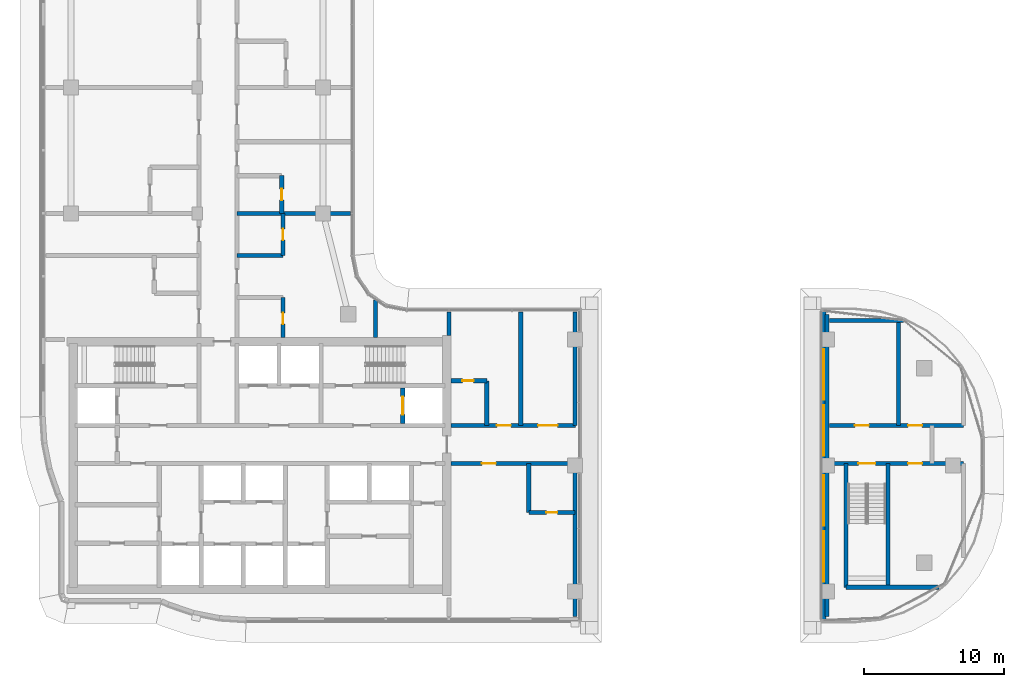
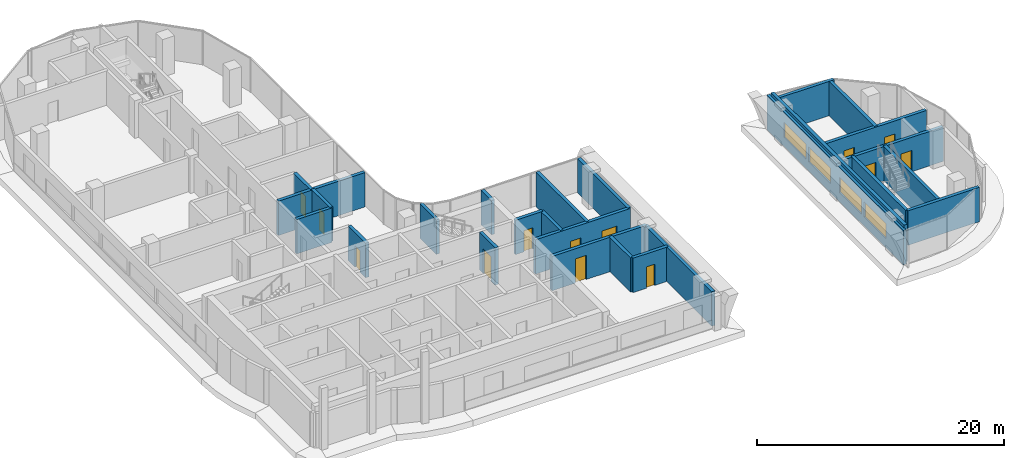
# One storey, part 12 of 26: 26 walls, 13 doors, 4 windows, 17 openings.
"""IFC4 building model written with IfcOpenShell, lengths in metres."""

from ifc_helpers import new_model, si_unit, direction, frame, frame_2d, origin, place, context, subcontext, project, spatial, rectangle, extrude, material, layer, layer_set, type_object, element, fill, save


model = new_model("IFC4")

# Units and contexts
model_context = context("Model", 3, precision=1e-05, world=origin(), true_north=direction((0.0, 1.0)))
body_context = subcontext(model_context, "Body", "Model", "MODEL_VIEW")
ifc_project = project(units=[si_unit("LENGTHUNIT", "METRE"), si_unit("AREAUNIT", "SQUARE_METRE"), si_unit("VOLUMEUNIT", "CUBIC_METRE"), si_unit("PLANEANGLEUNIT", "RADIAN"), si_unit("MASSUNIT", "GRAM", prefix="KILO")], contexts=[model_context])

# Site, building, storey
site_placement = place(None, origin())
site = spatial("IfcSite", under=ifc_project, at=site_placement, CompositionType="ELEMENT")
building_placement = place(site_placement, origin())
building = spatial("IfcBuilding", under=site, at=building_placement, Name="Ogive Portal Towers", CompositionType="ELEMENT")
storey_placement = place(building_placement, frame((0.0, 0.0, 171.800048828125)))
storey = spatial("IfcBuildingStorey", under=building, at=storey_placement, Name="L42", CompositionType="ELEMENT", Elevation=171.800048828125)

# Wall, opening, door
ifc_material_1 = material(Name="Concrete C60/75", Category="concrete")
ifc_layer_1 = layer(ifc_material_1, 0.300048828125)
ifc_layer_set_1 = layer_set([ifc_layer_1], Name="CORE WALL 300 C60")
wall_type_1 = type_object("IfcWallType", Name="CORE WALL 300 C60", PredefinedType="SHEAR", material=ifc_layer_set_1)
wall_1_placement = place(storey_placement, frame((55.199951171875, 33.5, 0.0), z_axis=(0.0, 0.0, 1.0), x_axis=(0.0, 1.0, 0.0)))
wall_1 = element("IfcWall", 1, at=wall_1_placement, inside=storey, type_object=wall_type_1, Name="Core wall X10 L42", PredefinedType="SHEAR", context=body_context, shape_type="SweptSolid", body=[
    extrude(rectangle(XDim=2.550048828125, YDim=0.300048828125, at=frame_2d((1.27490234375, 0.0))), origin(), (0.0, 0.0, 1.0), 3.699951171875),
])
opening_1_placement = place(wall_1_placement, frame((0.625, 0.0, 0.0)))
opening_1 = element("IfcOpeningElement", 2, at=opening_1_placement, cuts=wall_1, Name="Opening D17-020", PredefinedType="OPENING", context=body_context, shape_type="SweptSolid", body=[
    extrude(rectangle(XDim=1.300048828125, YDim=2.39990234375, at=frame_2d((0.64990234375, 1.199951171875))), frame((0.0, 0.16015625, 0.0), z_axis=(0.0, -1.0, 0.0), x_axis=(1.0, 0.0, 0.0)), (0.0, 0.0, 1.0), 0.320068359375),
])
ifc_material_2 = material(Name="Stainless steel", Category="steel")
door_type_1 = type_object("IfcDoorType", Name="DT-LD-1300x2400", OperationType="SLIDING_TO_LEFT", PredefinedType="DOOR", material=ifc_material_2)
door_1_placement = place(opening_1_placement, origin())
door_1 = element("IfcDoor", 3, at=door_1_placement, inside=storey, type_object=door_type_1, Name="Door D17-020", OperationType="SLIDING_TO_LEFT", OverallHeight=2.39990234375, OverallWidth=1.300048828125, PredefinedType="DOOR", context=body_context, shape_type="SweptSolid", body=[
    extrude(rectangle(XDim=1.300048828125, YDim=2.39990234375, at=frame_2d((0.64990234375, 1.199951171875))), frame((0.0, 0.02490234375, 0.0), z_axis=(0.0, -1.0, 0.0), x_axis=(1.0, 0.0, 0.0)), (0.0, 0.0, 1.0), 0.050048828125),
])
fill(opening_1, door_1)

# Wall, openings, windows
ifc_material_3 = material(Name="Limestone cladding on lightweight block wall", Category="masonry")
ifc_layer_2 = layer(ifc_material_3, 0.300048828125)
ifc_layer_set_2 = layer_set([ifc_layer_2], Name="EXTERNAL WALL 300 STONE")
wall_type_2 = type_object("IfcWallType", Name="EXTERNAL WALL 300 STONE", PredefinedType="SOLIDWALL", material=ifc_layer_set_2)
wall_2_placement = place(storey_placement, frame((85.27001953125, 41.554931640625, 0.0), z_axis=(0.0, 0.0, 1.0), x_axis=(0.0, -1.0, 0.0)))
wall_2 = element("IfcWall", 4, at=wall_2_placement, inside=storey, type_object=wall_type_2, Name="A:L42:f27:r0:wall", PredefinedType="SOLIDWALL", context=body_context, shape_type="SweptSolid", body=[
    extrude(rectangle(XDim=22.116455078125, YDim=0.300048828125, at=frame_2d((11.05810546875, 0.0))), origin(), (0.0, 0.0, 1.0), 3.39990234375),
])
opening_2_placement = place(wall_2_placement, frame((2.7548828125, 0.0, 0.89990234375)))
opening_2 = element("IfcOpeningElement", 5, at=opening_2_placement, cuts=wall_2, Name="Opening WN12", PredefinedType="OPENING", context=body_context, shape_type="SweptSolid", body=[
    extrude(rectangle(XDim=3.60009765625, YDim=1.5, at=frame_2d((1.800048828125, 0.75))), frame((0.0, 0.16015625, 0.0), z_axis=(0.0, -1.0, 0.0), x_axis=(1.0, 0.0, 0.0)), (0.0, 0.0, 1.0), 0.320068359375),
])
opening_3_placement = place(wall_2_placement, frame((6.7548828125, 0.0, 0.89990234375)))
opening_3 = element("IfcOpeningElement", 6, at=opening_3_placement, cuts=wall_2, Name="Opening WN12", PredefinedType="OPENING", context=body_context, shape_type="SweptSolid", body=[
    extrude(rectangle(XDim=3.60009765625, YDim=1.5, at=frame_2d((1.800048828125, 0.75))), frame((0.0, 0.16015625, 0.0), z_axis=(0.0, -1.0, 0.0), x_axis=(1.0, 0.0, 0.0)), (0.0, 0.0, 1.0), 0.320068359375),
])
opening_4_placement = place(wall_2_placement, frame((11.7548828125, 0.0, 0.89990234375)))
opening_4 = element("IfcOpeningElement", 7, at=opening_4_placement, cuts=wall_2, Name="Opening WN12", PredefinedType="OPENING", context=body_context, shape_type="SweptSolid", body=[
    extrude(rectangle(XDim=3.60009765625, YDim=1.5, at=frame_2d((1.800048828125, 0.75))), frame((0.0, 0.16015625, 0.0), z_axis=(0.0, -1.0, 0.0), x_axis=(1.0, 0.0, 0.0)), (0.0, 0.0, 1.0), 0.320068359375),
])
opening_5_placement = place(wall_2_placement, frame((15.7548828125, 0.0, 0.89990234375)))
opening_5 = element("IfcOpeningElement", 8, at=opening_5_placement, cuts=wall_2, Name="Opening WN12", PredefinedType="OPENING", context=body_context, shape_type="SweptSolid", body=[
    extrude(rectangle(XDim=3.60009765625, YDim=1.5, at=frame_2d((1.800048828125, 0.75))), frame((0.0, 0.16015625, 0.0), z_axis=(0.0, -1.0, 0.0), x_axis=(1.0, 0.0, 0.0)), (0.0, 0.0, 1.0), 0.320068359375),
])
ifc_material_4 = material(Name="Glass, clear low-iron insulated glazing", Category="glass")
window_type = type_object("IfcWindowType", Name="WINDOW RIBBON 3600x1500", PartitioningType="TRIPLE_PANEL_VERTICAL", PredefinedType="WINDOW", material=ifc_material_4)
window_1_placement = place(opening_2_placement, origin())
window_1 = element("IfcWindow", 9, at=window_1_placement, inside=storey, type_object=window_type, Name="A:L42:f27:r0:w1", OverallHeight=1.5, OverallWidth=3.60009765625, PartitioningType="SINGLE_PANEL", PredefinedType="WINDOW", context=body_context, shape_type="SweptSolid", body=[
    extrude(rectangle(XDim=3.60009765625, YDim=1.5, at=frame_2d((1.800048828125, 0.75))), frame((0.0, 0.030029296875, 0.0), z_axis=(0.0, -1.0, 0.0), x_axis=(1.0, 0.0, 0.0)), (0.0, 0.0, 1.0), 0.06005859375),
])
fill(opening_2, window_1)
window_2_placement = place(opening_3_placement, origin())
window_2 = element("IfcWindow", 10, at=window_2_placement, inside=storey, type_object=window_type, Name="A:L42:f27:r0:w2", OverallHeight=1.5, OverallWidth=3.60009765625, PartitioningType="SINGLE_PANEL", PredefinedType="WINDOW", context=body_context, shape_type="SweptSolid", body=[
    extrude(rectangle(XDim=3.60009765625, YDim=1.5, at=frame_2d((1.800048828125, 0.75))), frame((0.0, 0.030029296875, 0.0), z_axis=(0.0, -1.0, 0.0), x_axis=(1.0, 0.0, 0.0)), (0.0, 0.0, 1.0), 0.06005859375),
])
fill(opening_3, window_2)
window_3_placement = place(opening_4_placement, origin())
window_3 = element("IfcWindow", 11, at=window_3_placement, inside=storey, type_object=window_type, Name="A:L42:f27:r0:w3", OverallHeight=1.5, OverallWidth=3.60009765625, PartitioningType="SINGLE_PANEL", PredefinedType="WINDOW", context=body_context, shape_type="SweptSolid", body=[
    extrude(rectangle(XDim=3.60009765625, YDim=1.5, at=frame_2d((1.800048828125, 0.75))), frame((0.0, 0.030029296875, 0.0), z_axis=(0.0, -1.0, 0.0), x_axis=(1.0, 0.0, 0.0)), (0.0, 0.0, 1.0), 0.06005859375),
])
fill(opening_4, window_3)
window_4_placement = place(opening_5_placement, origin())
window_4 = element("IfcWindow", 12, at=window_4_placement, inside=storey, type_object=window_type, Name="A:L42:f27:r0:w4", OverallHeight=1.5, OverallWidth=3.60009765625, PartitioningType="SINGLE_PANEL", PredefinedType="WINDOW", context=body_context, shape_type="SweptSolid", body=[
    extrude(rectangle(XDim=3.60009765625, YDim=1.5, at=frame_2d((1.800048828125, 0.75))), frame((0.0, 0.030029296875, 0.0), z_axis=(0.0, -1.0, 0.0), x_axis=(1.0, 0.0, 0.0)), (0.0, 0.0, 1.0), 0.06005859375),
])
fill(opening_5, window_4)

# Walls
ifc_layer_3 = layer(ifc_material_1, 0.300048828125)
ifc_layer_set_3 = layer_set([ifc_layer_3], Name="REVEAL WALL 300 C60")
wall_type_3 = type_object("IfcWallType", Name="REVEAL WALL 300 C60", PredefinedType="SHEAR", material=ifc_layer_set_3)
wall_3_placement = place(storey_placement, frame((85.5, 19.705078125, 0.0), z_axis=(0.0, 0.0, 1.0), x_axis=(0.0, 1.0, 0.0)))
element("IfcWall", 13, at=wall_3_placement, inside=storey, type_object=wall_type_3, Name="Portal reveal wall L42", PredefinedType="SHEAR", context=body_context, shape_type="SweptSolid", body=[
    extrude(rectangle(XDim=21.58984375, YDim=0.300048828125, at=frame_2d((10.794921875, 0.0))), origin(), (0.0, 0.0, 1.0), 3.699951171875),
])
ifc_material_5 = material(Name="Concrete C50/60", Category="concrete")
ifc_layer_4 = layer(ifc_material_5, 0.300048828125)
ifc_layer_set_4 = layer_set([ifc_layer_4], Name="STAIR WALL 300 C50")
wall_type_4 = type_object("IfcWallType", Name="STAIR WALL 300 C50", PredefinedType="SHEAR", material=ifc_layer_set_4)
wall_4_placement = place(storey_placement, frame((86.85009765625, 21.800048828125, 0.0), z_axis=(0.0, 0.0, 1.0), x_axis=(1.0, 0.0, 0.0)))
element("IfcWall", 14, at=wall_4_placement, inside=storey, type_object=wall_type_4, Name="Stair wall ST-A4 L42", PredefinedType="SHEAR", context=body_context, shape_type="SweptSolid", body=[
    extrude(rectangle(XDim=6.663818359375, YDim=0.300048828125, at=frame_2d((3.33203125, 0.0))), origin(), (0.0, 0.0, 1.0), 3.39990234375),
])

# Wall, openings, doors
wall_5_placement = place(storey_placement, frame((85.669921875, 30.64990234375, 0.0), z_axis=(0.0, 0.0, 1.0), x_axis=(1.0, 0.0, 0.0)))
wall_5 = element("IfcWall", 15, at=wall_5_placement, inside=storey, type_object=wall_type_4, Name="Stair wall ST-A4 L42", PredefinedType="SHEAR", context=body_context, shape_type="SweptSolid", body=[
    extrude(rectangle(XDim=9.580078125, YDim=0.300048828125, at=frame_2d((4.7900390625, 0.0))), origin(), (0.0, 0.0, 1.0), 3.39990234375),
])
opening_6_placement = place(wall_5_placement, frame((2.080078125, 0.0, 0.0)))
opening_6 = element("IfcOpeningElement", 16, at=opening_6_placement, cuts=wall_5, Name="Opening D17-048", PredefinedType="OPENING", context=body_context, shape_type="SweptSolid", body=[
    extrude(rectangle(XDim=1.199951171875, YDim=2.10009765625, at=frame_2d((0.60009765625, 1.050048828125))), frame((0.0, 0.16015625, 0.0), z_axis=(0.0, -1.0, 0.0), x_axis=(1.0, 0.0, 0.0)), (0.0, 0.0, 1.0), 0.320068359375),
])
opening_7_placement = place(wall_5_placement, frame((5.6298828125, 0.0, 0.0)))
opening_7 = element("IfcOpeningElement", 17, at=opening_7_placement, cuts=wall_5, Name="Opening D17-051", PredefinedType="OPENING", context=body_context, shape_type="SweptSolid", body=[
    extrude(rectangle(XDim=1.0, YDim=2.10009765625, at=frame_2d((0.5, 1.050048828125))), frame((0.0, 0.16015625, 0.0), z_axis=(0.0, -1.0, 0.0), x_axis=(1.0, 0.0, 0.0)), (0.0, 0.0, 1.0), 0.320068359375),
])
ifc_material_6 = material(Name="Steel fire door", Category="steel")
door_type_2 = type_object("IfcDoorType", Name="DT-SERVICE-1000x2100-FD90S", OperationType="SINGLE_SWING_LEFT", PredefinedType="DOOR", material=ifc_material_6)
door_2_placement = place(opening_7_placement, origin())
door_2 = element("IfcDoor", 18, at=door_2_placement, inside=storey, type_object=door_type_2, Name="Door D17-051", OperationType="SINGLE_SWING_LEFT", OverallHeight=2.10009765625, OverallWidth=1.0, PredefinedType="DOOR", context=body_context, shape_type="SweptSolid", body=[
    extrude(rectangle(XDim=1.0, YDim=2.10009765625, at=frame_2d((0.5, 1.050048828125))), frame((0.0, 0.02490234375, 0.0), z_axis=(0.0, -1.0, 0.0), x_axis=(1.0, 0.0, 0.0)), (0.0, 0.0, 1.0), 0.050048828125),
])
fill(opening_7, door_2)
door_type_3 = type_object("IfcDoorType", Name="DT-STAIR-1200x2100-FD90S", OperationType="SINGLE_SWING_LEFT", PredefinedType="DOOR", material=ifc_material_6)
door_3_placement = place(opening_6_placement, origin())
door_3 = element("IfcDoor", 19, at=door_3_placement, inside=storey, type_object=door_type_3, Name="Door D17-048", OperationType="SINGLE_SWING_LEFT", OverallHeight=2.10009765625, OverallWidth=1.199951171875, PredefinedType="DOOR", context=body_context, shape_type="SweptSolid", body=[
    extrude(rectangle(XDim=1.199951171875, YDim=2.10009765625, at=frame_2d((0.60009765625, 1.050048828125))), frame((0.0, 0.02490234375, 0.0), z_axis=(0.0, -1.0, 0.0), x_axis=(1.0, 0.0, 0.0)), (0.0, 0.0, 1.0), 0.050048828125),
])
fill(opening_6, door_3)

# Walls
for number, where, z_axis, x_axis, name in (
    (20, (86.85009765625, 21.800048828125, 0.0), (0.0, 0.0, 1.0), (0.0, 1.0, 0.0), "Stair wall ST-A4 L42"),
    (21, (89.85009765625, 21.800048828125, 0.0), (0.0, 0.0, 1.0), (0.0, 1.0, 0.0), "Stair wall ST-A4 L42"),
):
    element("IfcWall", number, at=place(storey_placement, frame(where, z_axis=z_axis, x_axis=x_axis)), inside=storey, type_object=wall_type_4, Name=name, PredefinedType="SHEAR", context=body_context, shape_type="SweptSolid", body=[
        extrude(rectangle(XDim=8.849853515625, YDim=0.300048828125, at=frame_2d((4.4248046875, 0.0))), origin(), (0.0, 0.0, 1.0), 3.39990234375),
    ])

# Wall, opening, door
ifc_material_7 = material(Name="Gypsum board partition on steel studs", Category="steel")
ifc_layer_5 = layer(ifc_material_7, 0.300048828125)
ifc_layer_set_5 = layer_set([ifc_layer_5], Name="WT-PART-300-EI 120")
wall_type_5 = type_object("IfcWallType", Name="WT-PART-300-EI 120", PredefinedType="PARTITIONING", material=ifc_layer_set_5)
wall_6_placement = place(storey_placement, frame((58.64990234375, 30.64990234375, 0.0), z_axis=(0.0, 0.0, 1.0), x_axis=(1.0, 0.0, 0.0)))
wall_6 = element("IfcWall", 22, at=wall_6_placement, inside=storey, type_object=wall_type_5, Name="Wall L42:w003", PredefinedType="PARTITIONING", context=body_context, shape_type="SweptSolid", body=[
    extrude(rectangle(XDim=8.880126953125, YDim=0.300048828125, at=frame_2d((4.43994140625, 0.0))), origin(), (0.0, 0.0, 1.0), 3.39990234375),
])
opening_8_placement = place(wall_6_placement, frame((2.199951171875, 0.0, 0.0)))
opening_8 = element("IfcOpeningElement", 23, at=opening_8_placement, cuts=wall_6, Name="Opening D17-031", PredefinedType="OPENING", context=body_context, shape_type="SweptSolid", body=[
    extrude(rectangle(XDim=1.0, YDim=2.39990234375, at=frame_2d((0.5, 1.199951171875))), frame((0.0, 0.16015625, 0.0), z_axis=(0.0, -1.0, 0.0), x_axis=(1.0, 0.0, 0.0)), (0.0, 0.0, 1.0), 0.320068359375),
])
door_type_4 = type_object("IfcDoorType", Name="DT-ENTRY-1000x2400-FD90S", OperationType="SINGLE_SWING_LEFT", PredefinedType="DOOR", material=ifc_material_6)
door_4_placement = place(opening_8_placement, origin())
door_4 = element("IfcDoor", 24, at=door_4_placement, inside=storey, type_object=door_type_4, Name="Door D17-031", OperationType="SINGLE_SWING_LEFT", OverallHeight=2.39990234375, OverallWidth=1.0, PredefinedType="DOOR", context=body_context, shape_type="SweptSolid", body=[
    extrude(rectangle(XDim=1.0, YDim=2.39990234375, at=frame_2d((0.5, 1.199951171875))), frame((0.0, 0.02490234375, 0.0), z_axis=(0.0, -1.0, 0.0), x_axis=(1.0, 0.0, 0.0)), (0.0, 0.0, 1.0), 0.050048828125),
])
fill(opening_8, door_4)

# Wall, openings, doors
wall_7_placement = place(storey_placement, frame((58.64990234375, 33.35009765625, 0.0), z_axis=(0.0, 0.0, 1.0), x_axis=(1.0, 0.0, 0.0)))
wall_7 = element("IfcWall", 25, at=wall_7_placement, inside=storey, type_object=wall_type_5, Name="Wall L42:w005", PredefinedType="PARTITIONING", context=body_context, shape_type="SweptSolid", body=[
    extrude(rectangle(XDim=8.880126953125, YDim=0.300048828125, at=frame_2d((4.43994140625, 0.0))), origin(), (0.0, 0.0, 1.0), 3.39990234375),
])
opening_9_placement = place(wall_7_placement, frame((3.264892578125, 0.0, 0.0)))
opening_9 = element("IfcOpeningElement", 26, at=opening_9_placement, cuts=wall_7, Name="Opening D17-028", PredefinedType="OPENING", context=body_context, shape_type="SweptSolid", body=[
    extrude(rectangle(XDim=1.0, YDim=2.10009765625, at=frame_2d((0.5, 1.050048828125))), frame((0.0, 0.16015625, 0.0), z_axis=(0.0, -1.0, 0.0), x_axis=(1.0, 0.0, 0.0)), (0.0, 0.0, 1.0), 0.320068359375),
])
opening_10_placement = place(wall_7_placement, frame((6.215087890625, 0.0, 0.0)))
opening_10 = element("IfcOpeningElement", 27, at=opening_10_placement, cuts=wall_7, Name="Opening D17-029", PredefinedType="OPENING", context=body_context, shape_type="SweptSolid", body=[
    extrude(rectangle(XDim=1.39990234375, YDim=2.10009765625, at=frame_2d((0.699951171875, 1.050048828125))), frame((0.0, 0.16015625, 0.0), z_axis=(0.0, -1.0, 0.0), x_axis=(1.0, 0.0, 0.0)), (0.0, 0.0, 1.0), 0.320068359375),
])
door_type_5 = type_object("IfcDoorType", Name="DT-ENTRY-1000x2100-FD90S", OperationType="SINGLE_SWING_LEFT", PredefinedType="DOOR", material=ifc_material_6)
door_5_placement = place(opening_9_placement, origin())
door_5 = element("IfcDoor", 28, at=door_5_placement, inside=storey, type_object=door_type_5, Name="Door D17-028", OperationType="SINGLE_SWING_LEFT", OverallHeight=2.10009765625, OverallWidth=1.0, PredefinedType="DOOR", context=body_context, shape_type="SweptSolid", body=[
    extrude(rectangle(XDim=1.0, YDim=2.10009765625, at=frame_2d((0.5, 1.050048828125))), frame((0.0, 0.02490234375, 0.0), z_axis=(0.0, -1.0, 0.0), x_axis=(1.0, 0.0, 0.0)), (0.0, 0.0, 1.0), 0.050048828125),
])
fill(opening_9, door_5)
door_type_6 = type_object("IfcDoorType", Name="DT-ENTRY-1400x2100-FD90S", OperationType="SINGLE_SWING_LEFT", PredefinedType="DOOR", material=ifc_material_6)
door_6_placement = place(opening_10_placement, origin())
door_6 = element("IfcDoor", 29, at=door_6_placement, inside=storey, type_object=door_type_6, Name="Door D17-029", OperationType="SINGLE_SWING_RIGHT", OverallHeight=2.10009765625, OverallWidth=1.39990234375, PredefinedType="DOOR", context=body_context, shape_type="SweptSolid", body=[
    extrude(rectangle(XDim=1.39990234375, YDim=2.10009765625, at=frame_2d((0.699951171875, 1.050048828125))), frame((0.0, 0.02490234375, 0.0), z_axis=(0.0, -1.0, 0.0), x_axis=(1.0, 0.0, 0.0)), (0.0, 0.0, 1.0), 0.050048828125),
])
fill(opening_10, door_6)

wall_8_placement = place(storey_placement, frame((85.669921875, 33.35009765625, 0.0), z_axis=(0.0, 0.0, 1.0), x_axis=(1.0, 0.0, 0.0)))
wall_8 = element("IfcWall", 30, at=wall_8_placement, inside=storey, type_object=wall_type_5, Name="Wall L42:w006", PredefinedType="PARTITIONING", context=body_context, shape_type="SweptSolid", body=[
    extrude(rectangle(XDim=9.580078125, YDim=0.300048828125, at=frame_2d((4.7900390625, 0.0))), origin(), (0.0, 0.0, 1.0), 3.39990234375),
])
opening_11_placement = place(wall_8_placement, frame((1.830078125, 0.0, 0.0)))
opening_11 = element("IfcOpeningElement", 31, at=opening_11_placement, cuts=wall_8, Name="Opening D17-049", PredefinedType="OPENING", context=body_context, shape_type="SweptSolid", body=[
    extrude(rectangle(XDim=1.0, YDim=2.10009765625, at=frame_2d((0.5, 1.050048828125))), frame((0.0, 0.16015625, 0.0), z_axis=(0.0, -1.0, 0.0), x_axis=(1.0, 0.0, 0.0)), (0.0, 0.0, 1.0), 0.320068359375),
])
opening_12_placement = place(wall_8_placement, frame((5.6298828125, 0.0, 0.0)))
opening_12 = element("IfcOpeningElement", 32, at=opening_12_placement, cuts=wall_8, Name="Opening D17-050", PredefinedType="OPENING", context=body_context, shape_type="SweptSolid", body=[
    extrude(rectangle(XDim=1.0, YDim=2.10009765625, at=frame_2d((0.5, 1.050048828125))), frame((0.0, 0.16015625, 0.0), z_axis=(0.0, -1.0, 0.0), x_axis=(1.0, 0.0, 0.0)), (0.0, 0.0, 1.0), 0.320068359375),
])
door_7_placement = place(opening_11_placement, origin())
door_7 = element("IfcDoor", 33, at=door_7_placement, inside=storey, type_object=door_type_2, Name="Door D17-049", OperationType="SINGLE_SWING_LEFT", OverallHeight=2.10009765625, OverallWidth=1.0, PredefinedType="DOOR", context=body_context, shape_type="SweptSolid", body=[
    extrude(rectangle(XDim=1.0, YDim=2.10009765625, at=frame_2d((0.5, 1.050048828125))), frame((0.0, 0.02490234375, 0.0), z_axis=(0.0, -1.0, 0.0), x_axis=(1.0, 0.0, 0.0)), (0.0, 0.0, 1.0), 0.050048828125),
])
fill(opening_11, door_7)
door_8_placement = place(opening_12_placement, origin())
door_8 = element("IfcDoor", 34, at=door_8_placement, inside=storey, type_object=door_type_2, Name="Riser access door D17-050", OperationType="SINGLE_SWING_RIGHT", OverallHeight=2.10009765625, OverallWidth=1.0, PredefinedType="DOOR", context=body_context, shape_type="SweptSolid", body=[
    extrude(rectangle(XDim=1.0, YDim=2.10009765625, at=frame_2d((0.5, 1.050048828125))), frame((0.0, 0.02490234375, 0.0), z_axis=(0.0, -1.0, 0.0), x_axis=(1.0, 0.0, 0.0)), (0.0, 0.0, 1.0), 0.050048828125),
])
fill(opening_12, door_8)

# Wall, opening, door
ifc_layer_6 = layer(ifc_material_7, 0.300048828125)
ifc_layer_set_6 = layer_set([ifc_layer_6], Name="WT-PART-300-EI 60")
wall_type_6 = type_object("IfcWallType", Name="WT-PART-300-EI 60", PredefinedType="PARTITIONING", material=ifc_layer_set_6)
wall_9_placement = place(storey_placement, frame((64.199951171875, 27.14990234375, 0.0), z_axis=(0.0, 0.0, 1.0), x_axis=(1.0, 0.0, 0.0)))
wall_9 = element("IfcWall", 35, at=wall_9_placement, inside=storey, type_object=wall_type_6, Name="Wall L42:w002", PredefinedType="PARTITIONING", context=body_context, shape_type="SweptSolid", body=[
    extrude(rectangle(XDim=3.300048828125, YDim=0.300048828125, at=frame_2d((1.64990234375, 0.0))), origin(), (0.0, 0.0, 1.0), 3.39990234375),
])
opening_13_placement = place(wall_9_placement, frame((1.25, 0.0, 0.0)))
opening_13 = element("IfcOpeningElement", 36, at=opening_13_placement, cuts=wall_9, Name="Opening D17-030", PredefinedType="OPENING", context=body_context, shape_type="SweptSolid", body=[
    extrude(rectangle(XDim=0.800048828125, YDim=2.10009765625, at=frame_2d((0.39990234375, 1.050048828125))), frame((0.0, 0.16015625, 0.0), z_axis=(0.0, -1.0, 0.0), x_axis=(1.0, 0.0, 0.0)), (0.0, 0.0, 1.0), 0.320068359375),
])
door_type_7 = type_object("IfcDoorType", Name="DT-BATH-800x2100-FD60S", OperationType="SINGLE_SWING_LEFT", PredefinedType="DOOR", material=ifc_material_6)
door_9_placement = place(opening_13_placement, origin())
door_9 = element("IfcDoor", 37, at=door_9_placement, inside=storey, type_object=door_type_7, Name="Door D17-030", OperationType="SINGLE_SWING_LEFT", OverallHeight=2.10009765625, OverallWidth=0.800048828125, PredefinedType="DOOR", context=body_context, shape_type="SweptSolid", body=[
    extrude(rectangle(XDim=0.800048828125, YDim=2.10009765625, at=frame_2d((0.39990234375, 1.050048828125))), frame((0.0, 0.02490234375, 0.0), z_axis=(0.0, -1.0, 0.0), x_axis=(1.0, 0.0, 0.0)), (0.0, 0.0, 1.0), 0.050048828125),
])
fill(opening_13, door_9)

wall_10_placement = place(storey_placement, frame((58.64990234375, 36.550048828125, 0.0), z_axis=(0.0, 0.0, 1.0), x_axis=(1.0, 0.0, 0.0)))
wall_10 = element("IfcWall", 38, at=wall_10_placement, inside=storey, type_object=wall_type_6, Name="Wall L42:w007", PredefinedType="PARTITIONING", context=body_context, shape_type="SweptSolid", body=[
    extrude(rectangle(XDim=2.550048828125, YDim=0.300048828125, at=frame_2d((1.27490234375, 0.0))), origin(), (0.0, 0.0, 1.0), 3.39990234375),
])
opening_14_placement = place(wall_10_placement, frame((0.800048828125, 0.0, 0.0)))
opening_14 = element("IfcOpeningElement", 39, at=opening_14_placement, cuts=wall_10, Name="Opening D17-027", PredefinedType="OPENING", context=body_context, shape_type="SweptSolid", body=[
    extrude(rectangle(XDim=0.800048828125, YDim=2.10009765625, at=frame_2d((0.39990234375, 1.050048828125))), frame((0.0, 0.16015625, 0.0), z_axis=(0.0, -1.0, 0.0), x_axis=(1.0, 0.0, 0.0)), (0.0, 0.0, 1.0), 0.320068359375),
])
door_10_placement = place(opening_14_placement, origin())
door_10 = element("IfcDoor", 40, at=door_10_placement, inside=storey, type_object=door_type_7, Name="Door D17-027", OperationType="SINGLE_SWING_LEFT", OverallHeight=2.10009765625, OverallWidth=0.800048828125, PredefinedType="DOOR", context=body_context, shape_type="SweptSolid", body=[
    extrude(rectangle(XDim=0.800048828125, YDim=2.10009765625, at=frame_2d((0.39990234375, 1.050048828125))), frame((0.0, 0.02490234375, 0.0), z_axis=(0.0, -1.0, 0.0), x_axis=(1.0, 0.0, 0.0)), (0.0, 0.0, 1.0), 0.050048828125),
])
fill(opening_14, door_10)

# Walls
wall_11_placement = place(storey_placement, frame((85.669921875, 40.85009765625, 0.0), z_axis=(0.0, 0.0, 1.0), x_axis=(1.0, 0.0, 0.0)))
element("IfcWall", 41, at=wall_11_placement, inside=storey, type_object=wall_type_6, Name="Wall L42:w009", PredefinedType="PARTITIONING", context=body_context, shape_type="SweptSolid", body=[
    extrude(rectangle(XDim=5.2919921875, YDim=0.300048828125, at=frame_2d((2.64599609375, 0.0))), origin(), (0.0, 0.0, 1.0), 3.39990234375),
])
wall_12_placement = place(storey_placement, frame((43.35009765625, 45.5, 0.0), z_axis=(0.0, 0.0, 1.0), x_axis=(1.0, 0.0, 0.0)))
element("IfcWall", 42, at=wall_12_placement, inside=storey, type_object=wall_type_6, Name="Wall L42:w013", PredefinedType="PARTITIONING", context=body_context, shape_type="SweptSolid", body=[
    extrude(rectangle(XDim=3.2998046875, YDim=0.300048828125, at=frame_2d((1.64990234375, 0.0))), origin(), (0.0, 0.0, 1.0), 3.39990234375),
])
wall_13_placement = place(storey_placement, frame((43.35009765625, 48.5, 0.0), z_axis=(0.0, 0.0, 1.0), x_axis=(1.0, 0.0, 0.0)))
element("IfcWall", 43, at=wall_13_placement, inside=storey, type_object=wall_type_6, Name="Wall L42:w015", PredefinedType="PARTITIONING", context=body_context, shape_type="SweptSolid", body=[
    extrude(rectangle(XDim=8.125, YDim=0.300048828125, at=frame_2d((4.0625, 0.0))), origin(), (0.0, 0.0, 1.0), 3.39990234375),
])

# Wall, opening, door
wall_14_placement = place(storey_placement, frame((46.550048828125, 48.5, 0.0), z_axis=(0.0, 0.0, 1.0), x_axis=(0.0, 1.0, 0.0)))
wall_14 = element("IfcWall", 44, at=wall_14_placement, inside=storey, type_object=wall_type_6, Name="Wall L42:w035", PredefinedType="PARTITIONING", context=body_context, shape_type="SweptSolid", body=[
    extrude(rectangle(XDim=2.699951171875, YDim=0.300048828125, at=frame_2d((1.35009765625, 0.0))), origin(), (0.0, 0.0, 1.0), 3.39990234375),
])
opening_15_placement = place(wall_14_placement, frame((0.949951171875, 0.0, 0.0)))
opening_15 = element("IfcOpeningElement", 45, at=opening_15_placement, cuts=wall_14, Name="Opening D17-038", PredefinedType="OPENING", context=body_context, shape_type="SweptSolid", body=[
    extrude(rectangle(XDim=0.800048828125, YDim=2.10009765625, at=frame_2d((0.39990234375, 1.050048828125))), frame((0.0, 0.16015625, 0.0), z_axis=(0.0, -1.0, 0.0), x_axis=(1.0, 0.0, 0.0)), (0.0, 0.0, 1.0), 0.320068359375),
])
door_11_placement = place(opening_15_placement, origin())
door_11 = element("IfcDoor", 46, at=door_11_placement, inside=storey, type_object=door_type_7, Name="Door D17-038", OperationType="SINGLE_SWING_LEFT", OverallHeight=2.10009765625, OverallWidth=0.800048828125, PredefinedType="DOOR", context=body_context, shape_type="SweptSolid", body=[
    extrude(rectangle(XDim=0.800048828125, YDim=2.10009765625, at=frame_2d((0.39990234375, 1.050048828125))), frame((0.0, 0.02490234375, 0.0), z_axis=(0.0, -1.0, 0.0), x_axis=(1.0, 0.0, 0.0)), (0.0, 0.0, 1.0), 0.050048828125),
])
fill(opening_15, door_11)

wall_15_placement = place(storey_placement, frame((46.64990234375, 39.64990234375, 0.0), z_axis=(0.0, 0.0, 1.0), x_axis=(0.0, 1.0, 0.0)))
wall_15 = element("IfcWall", 47, at=wall_15_placement, inside=storey, type_object=wall_type_6, Name="Wall L42:w036", PredefinedType="PARTITIONING", context=body_context, shape_type="SweptSolid", body=[
    extrude(rectangle(XDim=2.85009765625, YDim=0.300048828125, at=frame_2d((1.425048828125, 0.0))), origin(), (0.0, 0.0, 1.0), 3.39990234375),
])
opening_16_placement = place(wall_15_placement, frame((0.949951171875, 0.0, 0.0)))
opening_16 = element("IfcOpeningElement", 48, at=opening_16_placement, cuts=wall_15, Name="Opening D17-032", PredefinedType="OPENING", context=body_context, shape_type="SweptSolid", body=[
    extrude(rectangle(XDim=0.800048828125, YDim=2.10009765625, at=frame_2d((0.39990234375, 1.050048828125))), frame((0.0, 0.16015625, 0.0), z_axis=(0.0, -1.0, 0.0), x_axis=(1.0, 0.0, 0.0)), (0.0, 0.0, 1.0), 0.320068359375),
])
door_12_placement = place(opening_16_placement, origin())
door_12 = element("IfcDoor", 49, at=door_12_placement, inside=storey, type_object=door_type_7, Name="Door D17-032", OperationType="SINGLE_SWING_LEFT", OverallHeight=2.10009765625, OverallWidth=0.800048828125, PredefinedType="DOOR", context=body_context, shape_type="SweptSolid", body=[
    extrude(rectangle(XDim=0.800048828125, YDim=2.10009765625, at=frame_2d((0.39990234375, 1.050048828125))), frame((0.0, 0.02490234375, 0.0), z_axis=(0.0, -1.0, 0.0), x_axis=(1.0, 0.0, 0.0)), (0.0, 0.0, 1.0), 0.050048828125),
])
fill(opening_16, door_12)

wall_16_placement = place(storey_placement, frame((46.64990234375, 45.5, 0.0), z_axis=(0.0, 0.0, 1.0), x_axis=(0.0, 1.0, 0.0)))
wall_16 = element("IfcWall", 50, at=wall_16_placement, inside=storey, type_object=wall_type_6, Name="Wall L42:w037", PredefinedType="PARTITIONING", context=body_context, shape_type="SweptSolid", body=[
    extrude(rectangle(XDim=3.0, YDim=0.300048828125, at=frame_2d((1.5, 0.0))), origin(), (0.0, 0.0, 1.0), 3.39990234375),
])
opening_17_placement = place(wall_16_placement, frame((1.10009765625, 0.0, 0.0)))
opening_17 = element("IfcOpeningElement", 51, at=opening_17_placement, cuts=wall_16, Name="Opening D17-033", PredefinedType="OPENING", context=body_context, shape_type="SweptSolid", body=[
    extrude(rectangle(XDim=0.800048828125, YDim=2.10009765625, at=frame_2d((0.39990234375, 1.050048828125))), frame((0.0, 0.16015625, 0.0), z_axis=(0.0, -1.0, 0.0), x_axis=(1.0, 0.0, 0.0)), (0.0, 0.0, 1.0), 0.320068359375),
])
door_13_placement = place(opening_17_placement, origin())
door_13 = element("IfcDoor", 52, at=door_13_placement, inside=storey, type_object=door_type_7, Name="Door D17-033", OperationType="SINGLE_SWING_RIGHT", OverallHeight=2.10009765625, OverallWidth=0.800048828125, PredefinedType="DOOR", context=body_context, shape_type="SweptSolid", body=[
    extrude(rectangle(XDim=0.800048828125, YDim=2.10009765625, at=frame_2d((0.39990234375, 1.050048828125))), frame((0.0, 0.02490234375, 0.0), z_axis=(0.0, -1.0, 0.0), x_axis=(1.0, 0.0, 0.0)), (0.0, 0.0, 1.0), 0.050048828125),
])
fill(opening_17, door_13)

# Walls
wall_17_placement = place(storey_placement, frame((53.25, 39.64990234375, 0.0), z_axis=(0.0, 0.0, 1.0), x_axis=(0.0, 1.0, 0.0)))
element("IfcWall", 53, at=wall_17_placement, inside=storey, type_object=wall_type_6, Name="Wall L42:w039", PredefinedType="PARTITIONING", context=body_context, shape_type="SweptSolid", body=[
    extrude(rectangle(XDim=2.676025390625, YDim=0.300048828125, at=frame_2d((1.337890625, 0.0))), origin(), (0.0, 0.0, 1.0), 3.39990234375),
])
wall_18_placement = place(storey_placement, frame((58.5, 39.7900390625, 0.0), z_axis=(0.0, 0.0, 1.0), x_axis=(0.0, 1.0, 0.0)))
element("IfcWall", 54, at=wall_18_placement, inside=storey, type_object=wall_type_6, Name="Wall L42:w041", PredefinedType="PARTITIONING", context=body_context, shape_type="SweptSolid", body=[
    extrude(rectangle(XDim=1.68505859375, YDim=0.300048828125, at=frame_2d((0.842529296875, 0.0))), origin(), (0.0, 0.0, 1.0), 3.39990234375),
])
wall_19_placement = place(storey_placement, frame((61.199951171875, 33.35009765625, 0.0), z_axis=(0.0, 0.0, 1.0), x_axis=(0.0, 1.0, 0.0)))
element("IfcWall", 55, at=wall_19_placement, inside=storey, type_object=wall_type_6, Name="Wall L42:w042", PredefinedType="PARTITIONING", context=body_context, shape_type="SweptSolid", body=[
    extrude(rectangle(XDim=3.199951171875, YDim=0.300048828125, at=frame_2d((1.60009765625, 0.0))), origin(), (0.0, 0.0, 1.0), 3.39990234375),
])
wall_20_placement = place(storey_placement, frame((63.6298828125, 33.35009765625, 0.0), z_axis=(0.0, 0.0, 1.0), x_axis=(0.0, 1.0, 0.0)))
element("IfcWall", 56, at=wall_20_placement, inside=storey, type_object=wall_type_6, Name="Wall L42:w043", PredefinedType="PARTITIONING", context=body_context, shape_type="SweptSolid", body=[
    extrude(rectangle(XDim=8.125, YDim=0.300048828125, at=frame_2d((4.0625, 0.0))), origin(), (0.0, 0.0, 1.0), 3.39990234375),
])
wall_21_placement = place(storey_placement, frame((64.199951171875, 27.14990234375, 0.0), z_axis=(0.0, 0.0, 1.0), x_axis=(0.0, 1.0, 0.0)))
element("IfcWall", 57, at=wall_21_placement, inside=storey, type_object=wall_type_6, Name="Wall L42:w044", PredefinedType="PARTITIONING", context=body_context, shape_type="SweptSolid", body=[
    extrude(rectangle(XDim=3.5, YDim=0.300048828125, at=frame_2d((1.75, 0.0))), origin(), (0.0, 0.0, 1.0), 3.39990234375),
])
wall_22_placement = place(storey_placement, frame((67.5, 19.705078125, 0.0), z_axis=(0.0, 0.0, 1.0), x_axis=(0.0, 1.0, 0.0)))
element("IfcWall", 58, at=wall_22_placement, inside=storey, type_object=wall_type_6, Name="Wall L42:w045", PredefinedType="PARTITIONING", context=body_context, shape_type="SweptSolid", body=[
    extrude(rectangle(XDim=10.94482421875, YDim=0.300048828125, at=frame_2d((5.472412109375, 0.0))), origin(), (0.0, 0.0, 1.0), 3.39990234375),
])
wall_23_placement = place(storey_placement, frame((67.5, 33.35009765625, 0.0), z_axis=(0.0, 0.0, 1.0), x_axis=(0.0, 1.0, 0.0)))
element("IfcWall", 59, at=wall_23_placement, inside=storey, type_object=wall_type_6, Name="Wall L42:w046", PredefinedType="PARTITIONING", context=body_context, shape_type="SweptSolid", body=[
    extrude(rectangle(XDim=8.125, YDim=0.300048828125, at=frame_2d((4.0625, 0.0))), origin(), (0.0, 0.0, 1.0), 3.39990234375),
])
wall_24_placement = place(storey_placement, frame((90.60009765625, 33.35009765625, 0.0), z_axis=(0.0, 0.0, 1.0), x_axis=(0.0, 1.0, 0.0)))
element("IfcWall", 60, at=wall_24_placement, inside=storey, type_object=wall_type_6, Name="Wall L42:w049", PredefinedType="PARTITIONING", context=body_context, shape_type="SweptSolid", body=[
    extrude(rectangle(XDim=7.35400390625, YDim=0.300048828125, at=frame_2d((3.677001953125, 0.0))), origin(), (0.0, 0.0, 1.0), 3.39990234375),
])

save(model, "model.ifc")
